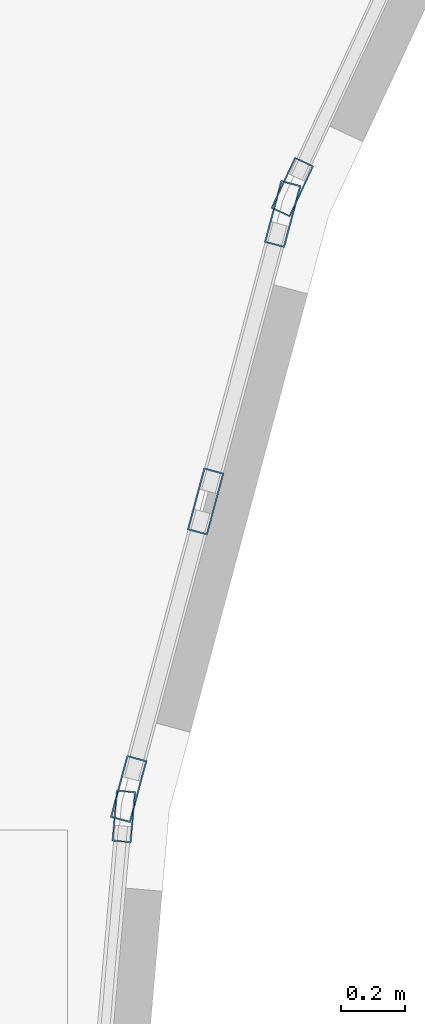
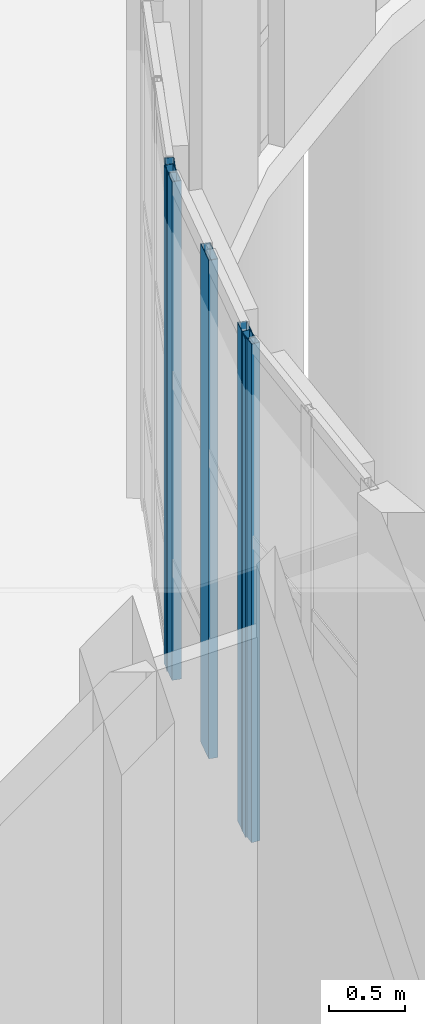
# One storey, part 29 of 93: 5 members, 3 elements without a shape of their own.
"""IFC4 building model written with IfcOpenShell, lengths in metres."""

import ifcopenshell
import ifcopenshell.guid

model = None  # the IFC model being written
_history = None  # IfcOwnerHistory: only IFC2X3 demands one
_inside = {}  # id of a spatial element -> (the spatial element, [elements in it])
_under = {}  # id of a project, library or spatial element -> (it, [spatial elements below it])
_declared = {}  # id of a project -> (the project, [libraries it declares])
_typed = {}  # id of a type object -> (the type object, [elements of that type])
_made_of = {}  # id of a material, layer set ... -> (it, [elements and type objects made of it])


def new_model(schema):
    """Start an empty IFC model of exactly this schema.

    Asked for "IFC4X3", IfcOpenShell would pick the latest addendum, in which some entities
    have other attributes; the version numbers below select the first issue.
    IFC2X3 requires an IfcOwnerHistory on every rooted entity: one is made here for all.
    """
    global model, _history
    if schema == "IFC4X3":
        model = ifcopenshell.file(schema_version=(4, 3, 0, 0))
    else:
        model = ifcopenshell.file(schema=schema)
    _inside.clear()
    _under.clear()
    _declared.clear()
    _typed.clear()
    _made_of.clear()
    _history = None
    if model.schema == "IFC2X3":
        org = make("IfcOrganization", Name="unknown")
        user = make(
            "IfcPersonAndOrganization",
            ThePerson=make("IfcPerson", FamilyName="unknown"),
            TheOrganization=org,
        )
        app = make(
            "IfcApplication",
            ApplicationDeveloper=org,
            Version="unknown",
            ApplicationFullName="unknown",
            ApplicationIdentifier="unknown",
        )
        _history = make(
            "IfcOwnerHistory",
            OwningUser=user,
            OwningApplication=app,
            ChangeAction="ADDED",
            CreationDate=0,
        )
    return model


def make(cls, **values):
    """One entity of the class cls with the attributes given. An attribute that is None is left unset."""
    return model.create_entity(
        cls, **{name: value for name, value in values.items() if value is not None}
    )


def rooted(cls, **values):
    """An entity with a GlobalId (a new one), such as an element, a storey or a relation."""
    return make(cls, GlobalId=ifcopenshell.guid.new(), OwnerHistory=_history, **values)


def si_unit(unit_type, name, prefix=None):
    """IfcSIUnit, for example si_unit("LENGTHUNIT", "METRE", prefix="MILLI")."""
    return make("IfcSIUnit", UnitType=unit_type, Prefix=prefix, Name=name)


def assignment(units):
    """IfcUnitAssignment: the units of a project."""
    return None if units is None else make("IfcUnitAssignment", Units=units)


def point(xyz):
    """IfcCartesianPoint."""
    return None if xyz is None else make("IfcCartesianPoint", Coordinates=xyz)


def direction(xyz):
    """IfcDirection."""
    return None if xyz is None else make("IfcDirection", DirectionRatios=xyz)


def frame(location, z_axis=None, x_axis=None):
    """IfcAxis2Placement3D, a coordinate frame: its origin and axes. An axis left out is left unset."""
    return make(
        "IfcAxis2Placement3D",
        Location=point(location),
        Axis=direction(z_axis),
        RefDirection=direction(x_axis),
    )


def frame_2d(location, x_axis=None):
    """IfcAxis2Placement2D, a coordinate frame in the plane: its origin and x axis."""
    return make(
        "IfcAxis2Placement2D", Location=point(location), RefDirection=direction(x_axis)
    )


def origin():
    """The frame at (0, 0, 0) with its axes left unset."""
    return frame((0.0, 0.0, 0.0))


def origin_2d():
    """The frame at (0, 0) in the plane with its x axis left unset."""
    return frame_2d((0.0, 0.0))


def place(relative_to, where):
    """IfcLocalPlacement: puts the frame where relative to a parent placement (None: the world)."""
    return make(
        "IfcLocalPlacement", PlacementRelTo=relative_to, RelativePlacement=where
    )


def context(
    kind, dimensions, precision=None, world=None, true_north=None, identifier=None
):
    """IfcGeometricRepresentationContext, for example the 3D "Model" context."""
    return make(
        "IfcGeometricRepresentationContext",
        ContextIdentifier=identifier,
        ContextType=kind,
        CoordinateSpaceDimension=dimensions,
        Precision=precision,
        WorldCoordinateSystem=world,
        TrueNorth=true_north,
    )


def subcontext(parent, identifier, kind, view, scale=None):
    """IfcGeometricRepresentationSubContext, for example "Body" below "Model"."""
    return make(
        "IfcGeometricRepresentationSubContext",
        ContextIdentifier=identifier,
        ContextType=kind,
        ParentContext=parent,
        TargetScale=scale,
        TargetView=view,
    )


def project(units=None, contexts=None):
    """IfcProject with its units and contexts."""
    return rooted(
        "IfcProject",
        Name="project",
        RepresentationContexts=contexts,
        UnitsInContext=assignment(units),
    )


def spatial(cls, under=None, at=None, **own):
    """A site, building, storey or space (cls), placed at a placement, below another one or the project."""
    s = rooted(cls, ObjectPlacement=at, **own)
    if under is not None:
        _under.setdefault(under.id(), (under, []))[1].append(s)
    return s


def profile(cls, at=None, kind="AREA", **sizes):
    """A parametric profile (cls). Its sizes go by their IFC names, for example OverallWidth=200.0."""
    return make(cls, ProfileType=kind, Position=at, **sizes)


def hollow_rectangle(**sizes):
    """IfcRectangleHollowProfileDef."""
    return profile("IfcRectangleHollowProfileDef", **sizes)


def extrude(swept, where, along, depth):
    """IfcExtrudedAreaSolid: the profile swept, set in the frame where, extruded along a direction by depth."""
    return make(
        "IfcExtrudedAreaSolid",
        SweptArea=swept,
        Position=where,
        ExtrudedDirection=direction(along),
        Depth=depth,
    )


def shape(context_of_items, identifier, shape_type, items):
    """IfcShapeRepresentation: the items that make up one representation, for example the "Body"."""
    return make(
        "IfcShapeRepresentation",
        ContextOfItems=context_of_items,
        RepresentationIdentifier=identifier,
        RepresentationType=shape_type,
        Items=items,
    )


def material(Name=None, Category=None):
    """IfcMaterial."""
    return make("IfcMaterial", Name=Name, Category=Category)


def layer(
    of_material, thickness, ventilated=None, Name=None, Category=None, Priority=None
):
    """IfcMaterialLayer: one layer of a wall or slab, of a material (None: an air gap)."""
    return make(
        "IfcMaterialLayer",
        Material=of_material,
        LayerThickness=thickness,
        IsVentilated=ventilated,
        Name=Name,
        Category=Category,
        Priority=Priority,
    )


def layer_set(layers, Name=None):
    """IfcMaterialLayerSet."""
    return make("IfcMaterialLayerSet", MaterialLayers=layers, LayerSetName=Name)


def material_profile(
    of_material, cross_section, Name=None, Category=None, Priority=None
):
    """IfcMaterialProfile: a cross section and its material."""
    return make(
        "IfcMaterialProfile",
        Name=Name,
        Material=of_material,
        Profile=cross_section,
        Priority=Priority,
        Category=Category,
    )


def profile_set(profiles, Name=None, composite=None):
    """IfcMaterialProfileSet."""
    return make(
        "IfcMaterialProfileSet",
        Name=Name,
        MaterialProfiles=profiles,
        CompositeProfile=composite,
    )


def made_of(thing, what):
    """Note that an element or type object is made of a material, layer set ...; save() writes the relation."""
    if what is not None:
        _made_of.setdefault(what.id(), (what, []))[1].append(thing)
    return thing


def type_object(cls, material=None, **own):
    """A type object (cls), such as IfcWallType, which elements share."""
    return made_of(rooted(cls, **own), material)


def element(
    cls,
    number,
    at=None,
    inside=None,
    cuts=None,
    type_object=None,
    material=None,
    context=None,
    identifier="Body",
    shape_type=None,
    held_by="IfcProductDefinitionShape",
    body=None,
    shapes=None,
    **own,
):
    """One element of the class cls, such as IfcWall. Its Tag is "e" and its number.

    at: its placement. inside: the storey or other place that contains it. cuts: it is an
    opening in that element (IfcRelVoidsElement). A single representation is given by context,
    identifier, shape_type and body (its items); several are given by shapes. held_by: the class
    of the entity that holds the representations. save() writes the other relations.
    """
    e = rooted(cls, Tag="e%d" % number, ObjectPlacement=at, **own)
    if body is not None:
        shapes = [shape(context, identifier, shape_type, body)]
    if shapes is not None:
        e.Representation = make(held_by, Representations=shapes)
    if inside is not None:
        _inside.setdefault(inside.id(), (inside, []))[1].append(e)
    if cuts is not None:
        rooted(
            "IfcRelVoidsElement", RelatingBuildingElement=cuts, RelatedOpeningElement=e
        )
    if type_object is not None:
        _typed.setdefault(type_object.id(), (type_object, []))[1].append(e)
    return made_of(e, material)


def aggregate(whole, parts):
    """IfcRelAggregates: a whole, such as a stair, and the parts it consists of."""
    return rooted("IfcRelAggregates", RelatingObject=whole, RelatedObjects=parts)


def save(model, path):
    """Write the relations noted so far, then the file.

    IfcRelAggregates (storeys below a building ...), IfcRelContainedInSpatialStructure (elements
    in a storey), IfcRelDefinesByType, IfcRelAssociatesMaterial and IfcRelDeclares: one each for
    every whole, place, type object, material and project.
    """
    for whole, parts in _under.values():
        aggregate(whole, parts)
    for where, things in _inside.values():
        rooted(
            "IfcRelContainedInSpatialStructure",
            RelatedElements=things,
            RelatingStructure=where,
        )
    for kind, things in _typed.values():
        rooted("IfcRelDefinesByType", RelatedObjects=things, RelatingType=kind)
    for what, things in _made_of.values():
        rooted("IfcRelAssociatesMaterial", RelatedObjects=things, RelatingMaterial=what)
    for by, libraries in _declared.values():
        rooted("IfcRelDeclares", RelatingContext=by, RelatedDefinitions=libraries)
    model.write(path)


model = new_model("IFC4")

# Units and contexts
model_context = context("Model", 3, precision=1e-05, world=origin(), true_north=direction((0.0, 1.0)))
body_context = subcontext(model_context, "Body", "Model", "MODEL_VIEW")
ifc_project = project(units=[si_unit("LENGTHUNIT", "METRE"), si_unit("AREAUNIT", "SQUARE_METRE"), si_unit("VOLUMEUNIT", "CUBIC_METRE"), si_unit("PLANEANGLEUNIT", "RADIAN"), si_unit("MASSUNIT", "GRAM", prefix="KILO")], contexts=[model_context])

# Site, building, storey
site_placement = place(None, origin())
site = spatial("IfcSite", under=ifc_project, at=site_placement, CompositionType="ELEMENT")
building_placement = place(site_placement, origin())
building = spatial("IfcBuilding", under=site, at=building_placement, Name="Kelanivale Promenade Academy", CompositionType="ELEMENT")
storey_placement = place(building_placement, origin())
storey = spatial("IfcBuildingStorey", under=building, at=storey_placement, Name="L00", CompositionType="ELEMENT", Elevation=0.0)

# Curtain wall, member
ifc_material_1 = material(Name="Bronze anodised aluminium and solar-control low-E glass", Category="aluminium")
ifc_layer_1 = layer(ifc_material_1, 0.169921875)
ifc_layer_set_1 = layer_set([ifc_layer_1], Name="Bronze anodised aluminium and solar-control low-E glass")
curtain_wall_type_1 = type_object("IfcCurtainWallType", Name="CW-13 Curtain Wall 1350mm Module", PredefinedType="USERDEFINED", material=ifc_layer_set_1)
curtain_wall_1_placement = place(storey_placement, origin())
curtain_wall_1 = element("IfcCurtainWall", 1, at=curtain_wall_1_placement, inside=storey, type_object=curtain_wall_type_1, Name="L00 courtyard curtain wall CW-13", ObjectType="COURTYARD SCREEN GLAZING", PredefinedType="USERDEFINED")
ifc_material_2 = material(Name="Bronze anodised aluminium EN AW-6063 T6", Category="aluminium")
ifc_material_profile_1 = material_profile(ifc_material_2, hollow_rectangle(XDim=0.06005859375, YDim=0.159912109375, WallThickness=0.00390625, at=origin_2d()), Name="ALU 60x160x4.0")
ifc_profile_set_1 = profile_set([ifc_material_profile_1], Name="Bronze anodised aluminium EN AW-6063 T6")
member_type_1 = type_object("IfcMemberType", Name="CWM-01 ALU 60x160x4.0", PredefinedType="MULLION", material=ifc_profile_set_1)
member_1_placement = place(storey_placement, frame((52.42529296875, 58.692138671875, 0.0), z_axis=(0.0, 0.0, 1.0), x_axis=(0.996185153601, -0.087264768066, 0.0)))
member_1 = element("IfcMember", 2, at=member_1_placement, type_object=member_type_1, Name="CW-13 mullion 1", PredefinedType="MULLION", context=body_context, shape_type="SweptSolid", body=[
    extrude(hollow_rectangle(XDim=0.06005859375, YDim=0.159912109375, WallThickness=0.00390625, at=origin_2d()), origin(), (0.0, 0.0, 1.0), 3.97998046875),
])
aggregate(curtain_wall_1, [member_1])

ifc_layer_2 = layer(ifc_material_1, 0.179931640625)
ifc_layer_set_2 = layer_set([ifc_layer_2], Name="Bronze anodised aluminium and solar-control low-E glass")
curtain_wall_type_2 = type_object("IfcCurtainWallType", Name="CW-11 Curtain Wall 1950mm Module", PredefinedType="USERDEFINED", material=ifc_layer_set_2)
curtain_wall_2_placement = place(storey_placement, origin())
curtain_wall_2 = element("IfcCurtainWall", 3, at=curtain_wall_2_placement, inside=storey, type_object=curtain_wall_type_2, Name="L00 courtyard curtain wall CW-11", ObjectType="UNITISED GLAZING", PredefinedType="USERDEFINED")
ifc_material_profile_2 = material_profile(ifc_material_2, hollow_rectangle(XDim=0.06494140625, YDim=0.175048828125, WallThickness=0.00390625, at=origin_2d()), Name="ALU 65x175x4.0")
ifc_profile_set_2 = profile_set([ifc_material_profile_2], Name="Bronze anodised aluminium EN AW-6063 T6")
member_type_2 = type_object("IfcMemberType", Name="CWM-03 ALU 65x175x4.0", PredefinedType="MULLION", material=ifc_profile_set_2)
member_2_placement = place(storey_placement, frame((52.94970703125, 60.650390625, 0.0), z_axis=(0.0, 0.0, 1.0), x_axis=(0.906089128146, -0.423086860887, 0.0)))
member_2 = element("IfcMember", 4, at=member_2_placement, type_object=member_type_2, Name="CW-11 mullion 3", PredefinedType="MULLION", context=body_context, shape_type="SweptSolid", body=[
    extrude(hollow_rectangle(XDim=0.06494140625, YDim=0.175048828125, WallThickness=0.00390625, at=origin_2d()), origin(), (0.0, 0.0, 1.0), 3.97998046875),
])
aggregate(curtain_wall_2, [member_2])

# Curtain wall, members
ifc_layer_3 = layer(ifc_material_1, 0.159912109375)
ifc_layer_set_3 = layer_set([ifc_layer_3], Name="Bronze anodised aluminium and solar-control low-E glass")
curtain_wall_type_3 = type_object("IfcCurtainWallType", Name="CW-12 Curtain Wall 1200mm Module", PredefinedType="USERDEFINED", material=ifc_layer_set_3)
curtain_wall_3_placement = place(storey_placement, origin())
curtain_wall_3 = element("IfcCurtainWall", 5, at=curtain_wall_3_placement, inside=storey, type_object=curtain_wall_type_3, Name="L00 courtyard curtain wall CW-12", ObjectType="UNITISED GLAZING", PredefinedType="USERDEFINED")
ifc_material_profile_3 = material_profile(ifc_material_2, hollow_rectangle(XDim=0.06494140625, YDim=0.199951171875, WallThickness=0.00439453125, at=origin_2d()), Name="ALU 65x200x4.5")
ifc_profile_set_3 = profile_set([ifc_material_profile_3], Name="Bronze anodised aluminium EN AW-6063 T6")
member_type_3 = type_object("IfcMemberType", Name="CWM-04 ALU 65x200x4.5", PredefinedType="MULLION", material=ifc_profile_set_3)
member_3_placement = place(storey_placement, frame((52.919677734375, 60.566650390625, 0.0), z_axis=(0.0, 0.0, 1.0), x_axis=(0.96595736195, -0.258701323721, 0.0)))
member_3 = element("IfcMember", 6, at=member_3_placement, type_object=member_type_3, Name="CW-12 mullion 1", PredefinedType="MULLION", context=body_context, shape_type="SweptSolid", body=[
    extrude(hollow_rectangle(XDim=0.06494140625, YDim=0.199951171875, WallThickness=0.00439453125, at=origin_2d()), origin(), (0.0, 0.0, 1.0), 3.97998046875),
])
member_4_placement = place(storey_placement, frame((52.679931640625, 59.672119140625, 0.0), z_axis=(0.0, 0.0, 1.0), x_axis=(0.96595736195, -0.258701323721, 0.0)))
member_4 = element("IfcMember", 7, at=member_4_placement, type_object=member_type_3, Name="CW-12 mullion 2", PredefinedType="MULLION", context=body_context, shape_type="SweptSolid", body=[
    extrude(hollow_rectangle(XDim=0.06494140625, YDim=0.199951171875, WallThickness=0.00439453125, at=origin_2d()), origin(), (0.0, 0.0, 1.0), 3.97998046875),
])
member_5_placement = place(storey_placement, frame((52.4404296875, 58.77734375, 0.0), z_axis=(0.0, 0.0, 1.0), x_axis=(0.96595736195, -0.258701323721, 0.0)))
member_5 = element("IfcMember", 8, at=member_5_placement, type_object=member_type_3, Name="CW-12 mullion 3", PredefinedType="MULLION", context=body_context, shape_type="SweptSolid", body=[
    extrude(hollow_rectangle(XDim=0.06494140625, YDim=0.199951171875, WallThickness=0.00439453125, at=origin_2d()), origin(), (0.0, 0.0, 1.0), 3.97998046875),
])
aggregate(curtain_wall_3, [member_3, member_4, member_5])

save(model, "model.ifc")
